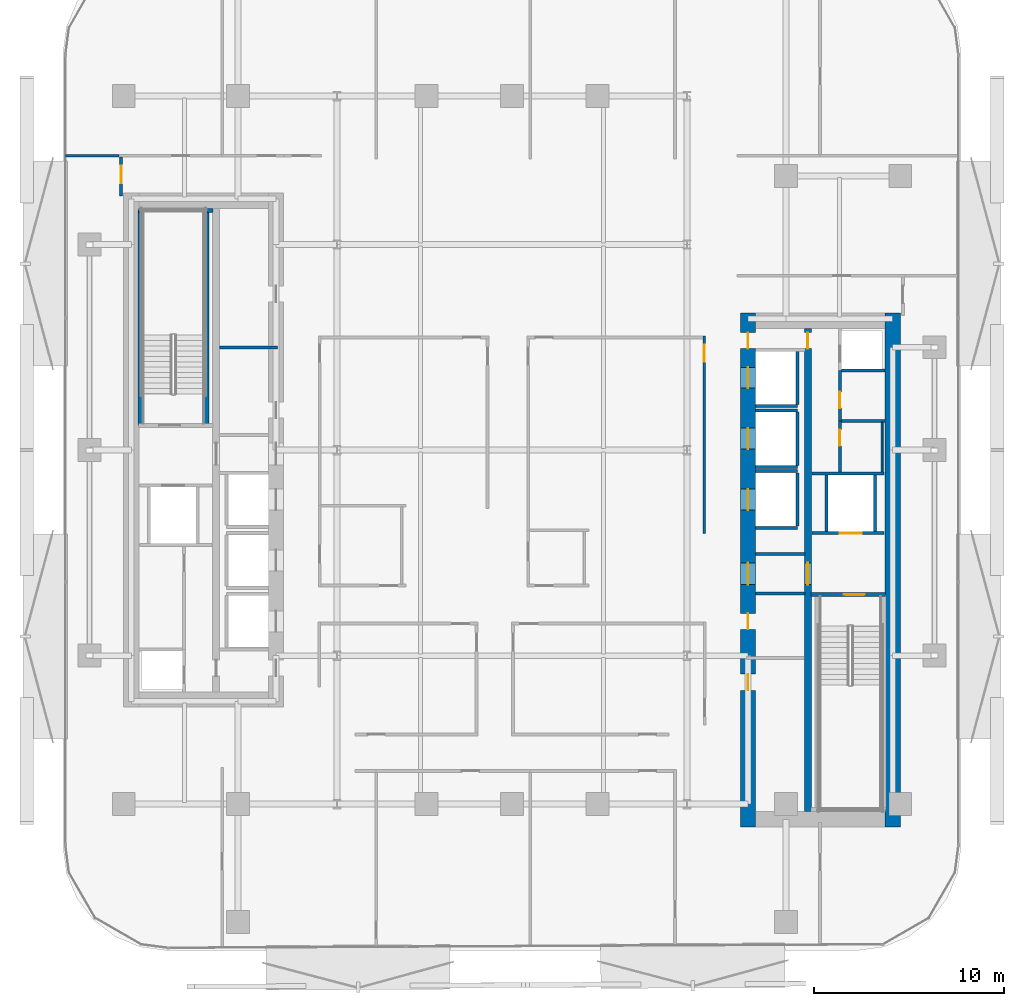
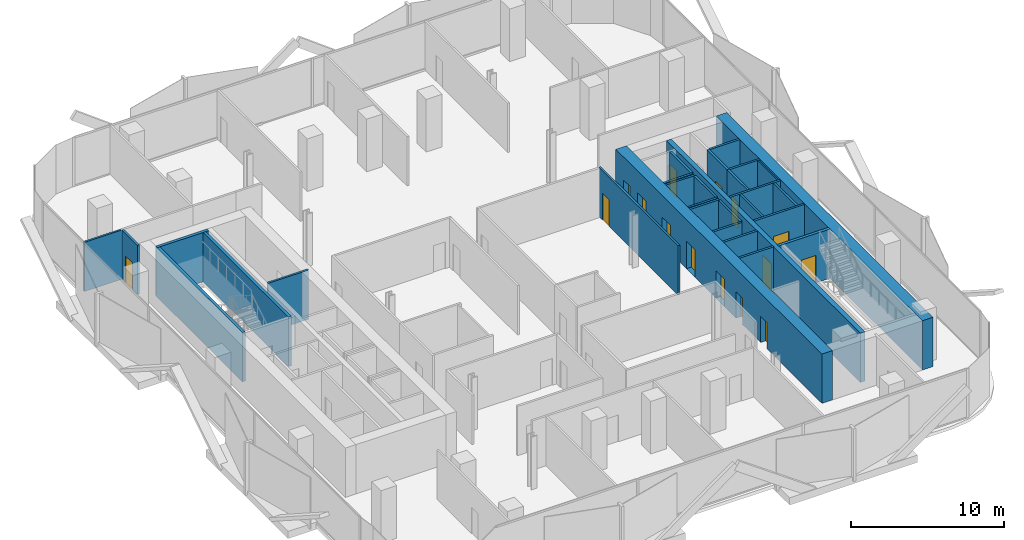
# One storey, part 5 of 16: 30 walls, 15 doors, 15 openings.
"""IFC4 building model written with IfcOpenShell, lengths in metres."""

from ifc_helpers import new_model, si_unit, direction, frame, frame_2d, origin, place, context, subcontext, project, spatial, rectangle, extrude, material, layer, layer_set, type_object, element, fill, save


model = new_model("IFC4")

# Units and contexts
model_context = context("Model", 3, precision=1e-05, world=origin(), true_north=direction((0.0, 1.0)))
body_context = subcontext(model_context, "Body", "Model", "MODEL_VIEW")
ifc_project = project(units=[si_unit("LENGTHUNIT", "METRE"), si_unit("AREAUNIT", "SQUARE_METRE"), si_unit("VOLUMEUNIT", "CUBIC_METRE"), si_unit("PLANEANGLEUNIT", "RADIAN"), si_unit("MASSUNIT", "GRAM", prefix="KILO")], contexts=[model_context])

# Site, building, storey
site_placement = place(None, origin())
site = spatial("IfcSite", under=ifc_project, at=site_placement, CompositionType="ELEMENT")
building_placement = place(site_placement, origin())
building = spatial("IfcBuilding", under=site, at=building_placement, Name="Khairoan Windgate Tower", CompositionType="ELEMENT")
storey_placement = place(building_placement, frame((0.0, 0.0, 139.39990234375)))
storey = spatial("IfcBuildingStorey", under=building, at=storey_placement, Name="L32", CompositionType="ELEMENT", Elevation=139.39990234375)

# Walls
ifc_material_1 = material(Name="Moisture-Resistant Gypsum Partition", Category="gypsum")
ifc_layer_1 = layer(ifc_material_1, 0.10009765625, Name="Moisture-Resistant Gypsum Partition")
ifc_layer_set_1 = layer_set([ifc_layer_1], Name="Moisture-Resistant Gypsum Partition")
wall_type_1 = type_object("IfcWallType", Name="Bathroom Wet-Area Partition Wall", PredefinedType="PARTITIONING", material=ifc_layer_set_1)
wall_1_placement = place(storey_placement, frame((19.449951171875, 1.449951171875, 0.0), z_axis=(0.0, 0.0, 1.0), x_axis=(0.0, -1.0, 0.0)))
element("IfcWall", 1, at=wall_1_placement, inside=storey, type_object=wall_type_1, Name="L32 Wet Room Side Wall 054", PredefinedType="PARTITIONING", context=body_context, shape_type="SweptSolid", body=[
    extrude(rectangle(XDim=2.58984375, YDim=0.10009765625, at=frame_2d((1.294921875, 0.0))), origin(), (0.0, 0.0, 1.0), 3.940185546875),
])
ifc_material_2 = material(Name="Concrete C40/50", Category="concrete")
ifc_layer_2 = layer(ifc_material_2, 0.159912109375, Name="Concrete C40/50")
ifc_layer_set_2 = layer_set([ifc_layer_2], Name="Concrete C40/50")
wall_type_2 = type_object("IfcWallType", Name="Core and Hoistway Enclosure Wall", PredefinedType="STANDARD", material=ifc_layer_set_2)
wall_2_placement = place(storey_placement, frame((12.800048828125, 2.31005859375, 0.0), z_axis=(0.0, 0.0, 1.0), x_axis=(1.0, 0.0, 0.0)))
element("IfcWall", 2, at=wall_2_placement, inside=storey, type_object=wall_type_2, Name="L32 Lift PL7 Hoistway Divider S", PredefinedType="STANDARD", context=body_context, shape_type="SweptSolid", body=[
    extrude(rectangle(XDim=2.18994140625, YDim=0.159912109375, at=frame_2d((1.094970703125, 0.0))), origin(), (0.0, 0.0, 1.0), 3.940185546875),
])
wall_3_placement = place(storey_placement, frame((14.989990234375, 2.39990234375, 0.0), z_axis=(0.0, 0.0, 1.0), x_axis=(0.0, 1.0, 0.0)))
element("IfcWall", 3, at=wall_3_placement, inside=storey, type_object=wall_type_2, Name="L32 Lift PL7 Hoistway Back Wall", PredefinedType="STANDARD", context=body_context, shape_type="SweptSolid", body=[
    extrude(rectangle(XDim=2.800048828125, YDim=0.159912109375, at=frame_2d((1.39990234375, 0.0))), origin(), (0.0, 0.0, 1.0), 3.940185546875),
])
for number, where, z_axis, x_axis, name in (
    (4, (12.800048828125, -0.889892578125, 0.0), (0.0, 0.0, 1.0), (1.0, 0.0, 0.0), "L32 Lift PL8 Hoistway Divider S"),
    (5, (12.800048828125, 2.090087890625, 0.0), (0.0, 0.0, 1.0), (1.0, 0.0, 0.0), "L32 Lift PL8 Hoistway Divider N"),
):
    element("IfcWall", number, at=place(storey_placement, frame(where, z_axis=z_axis, x_axis=x_axis)), inside=storey, type_object=wall_type_2, Name=name, PredefinedType="STANDARD", context=body_context, shape_type="SweptSolid", body=[
        extrude(rectangle(XDim=2.18994140625, YDim=0.159912109375, at=frame_2d((1.094970703125, 0.0))), origin(), (0.0, 0.0, 1.0), 3.940185546875),
    ])
wall_4_placement = place(storey_placement, frame((14.989990234375, -0.800048828125, 0.0), z_axis=(0.0, 0.0, 1.0), x_axis=(0.0, 1.0, 0.0)))
element("IfcWall", 6, at=wall_4_placement, inside=storey, type_object=wall_type_2, Name="L32 Lift PL8 Hoistway Back Wall", PredefinedType="STANDARD", context=body_context, shape_type="SweptSolid", body=[
    extrude(rectangle(XDim=2.800048828125, YDim=0.159912109375, at=frame_2d((1.39990234375, 0.0))), origin(), (0.0, 0.0, 1.0), 3.940185546875),
])
for number, where, z_axis, x_axis, name in (
    (7, (12.800048828125, -4.090087890625, 0.0), (0.0, 0.0, 1.0), (1.0, 0.0, 0.0), "L32 Lift PL9 Hoistway Divider S"),
    (8, (12.800048828125, -1.110107421875, 0.0), (0.0, 0.0, 1.0), (1.0, 0.0, 0.0), "L32 Lift PL9 Hoistway Divider N"),
):
    element("IfcWall", number, at=place(storey_placement, frame(where, z_axis=z_axis, x_axis=x_axis)), inside=storey, type_object=wall_type_2, Name=name, PredefinedType="STANDARD", context=body_context, shape_type="SweptSolid", body=[
        extrude(rectangle(XDim=2.18994140625, YDim=0.159912109375, at=frame_2d((1.094970703125, 0.0))), origin(), (0.0, 0.0, 1.0), 3.940185546875),
    ])
wall_5_placement = place(storey_placement, frame((14.989990234375, -4.0, 0.0), z_axis=(0.0, 0.0, 1.0), x_axis=(0.0, 1.0, 0.0)))
element("IfcWall", 9, at=wall_5_placement, inside=storey, type_object=wall_type_2, Name="L32 Lift PL9 Hoistway Back Wall", PredefinedType="STANDARD", context=body_context, shape_type="SweptSolid", body=[
    extrude(rectangle(XDim=2.800048828125, YDim=0.159912109375, at=frame_2d((1.39990234375, 0.0))), origin(), (0.0, 0.0, 1.0), 3.940185546875),
])

# Wall, opening, door
wall_6_placement = place(storey_placement, frame((15.75, -4.360107421875, 0.0), z_axis=(0.0, 0.0, 1.0), x_axis=(1.0, 0.0, 0.0)))
wall_6 = element("IfcWall", 10, at=wall_6_placement, inside=storey, type_object=wall_type_2, Name="L32 Core Shaft Wall SW-FL1-L32", PredefinedType="STANDARD", context=body_context, shape_type="SweptSolid", body=[
    extrude(rectangle(XDim=3.800048828125, YDim=0.159912109375, at=frame_2d((1.89990234375, 0.0))), origin(), (0.0, 0.0, 1.0), 3.940185546875),
])
opening_1_placement = place(wall_6_placement, frame((1.469970703125, 0.0, 0.0)))
opening_1 = element("IfcOpeningElement", 11, at=opening_1_placement, cuts=wall_6, Name="Opening LD-FL", PredefinedType="OPENING", context=body_context, shape_type="SweptSolid", body=[
    extrude(rectangle(XDim=1.14990234375, YDim=2.199951171875, at=frame_2d((0.574951171875, 1.10009765625))), frame((0.0, 0.08984375, 0.0), z_axis=(0.0, -1.0, 0.0), x_axis=(1.0, 0.0, 0.0)), (0.0, 0.0, 1.0), 0.179931640625),
])
ifc_material_3 = material(Name="Steel S355", Category="steel")
door_type_1 = type_object("IfcDoorType", Name="Firefighting Lift Sliding Landing Door LD-FL 1150x2200", OperationType="DOUBLE_DOOR_SLIDING", PredefinedType="DOOR", material=ifc_material_3)
door_1_placement = place(opening_1_placement, origin())
door_1 = element("IfcDoor", 12, at=door_1_placement, inside=storey, type_object=door_type_1, Name="L32 Firefighting Lift FL1 Landing Door", OperationType="DOUBLE_DOOR_SLIDING", OverallHeight=2.199951171875, OverallWidth=1.14990234375, PredefinedType="DOOR", context=body_context, shape_type="SweptSolid", body=[
    extrude(rectangle(XDim=1.14990234375, YDim=2.199951171875, at=frame_2d((0.574951171875, 1.10009765625))), frame((0.0, 0.02490234375, 0.0), z_axis=(0.0, -1.0, 0.0), x_axis=(1.0, 0.0, 0.0)), (0.0, 0.0, 1.0), 0.050048828125),
])
fill(opening_1, door_1)

# Walls
wall_7_placement = place(storey_placement, frame((15.75, -1.219970703125, 0.0), z_axis=(0.0, 0.0, 1.0), x_axis=(1.0, 0.0, 0.0)))
element("IfcWall", 13, at=wall_7_placement, inside=storey, type_object=wall_type_2, Name="L32 Core Shaft Wall SW-FL1T-L32", PredefinedType="STANDARD", context=body_context, shape_type="SweptSolid", body=[
    extrude(rectangle(XDim=3.800048828125, YDim=0.159912109375, at=frame_2d((1.89990234375, 0.0))), origin(), (0.0, 0.0, 1.0), 3.940185546875),
])
for number, where, z_axis, x_axis, name in (
    (14, (16.52001953125, -4.280029296875, 0.0), (0.0, 0.0, 1.0), (0.0, 1.0, 0.0), "L32 Core Shaft Wall SW-FL1W-L32"),
    (15, (19.080078125, -4.280029296875, 0.0), (0.0, 0.0, 1.0), (0.0, 1.0, 0.0), "L32 Core Shaft Wall SW-FL1E-L32"),
):
    element("IfcWall", number, at=place(storey_placement, frame(where, z_axis=z_axis, x_axis=x_axis)), inside=storey, type_object=wall_type_2, Name=name, PredefinedType="STANDARD", context=body_context, shape_type="SweptSolid", body=[
        extrude(rectangle(XDim=2.97998046875, YDim=0.159912109375, at=frame_2d((1.489990234375, 0.0))), origin(), (0.0, 0.0, 1.0), 3.940185546875),
    ])
for number, where, z_axis, x_axis, name in (
    (16, (12.800048828125, -5.449951171875, 0.0), (0.0, 0.0, 1.0), (1.0, 0.0, 0.0), "L32 Core Shaft Wall SW-EV1-L32"),
    (17, (12.800048828125, -7.5400390625, 0.0), (0.0, 0.0, 1.0), (1.0, 0.0, 0.0), "L32 Core Shaft Wall SW-EV2-L32"),
):
    element("IfcWall", number, at=place(storey_placement, frame(where, z_axis=z_axis, x_axis=x_axis)), inside=storey, type_object=wall_type_2, Name=name, PredefinedType="STANDARD", context=body_context, shape_type="SweptSolid", body=[
        extrude(rectangle(XDim=2.599853515625, YDim=0.159912109375, at=frame_2d((1.2998046875, 0.0))), origin(), (0.0, 0.0, 1.0), 3.940185546875),
    ])
ifc_material_4 = material(Name="Acoustic Fire-Rated Gypsum Partition", Category="gypsum")
ifc_layer_3 = layer(ifc_material_4, 0.139892578125, Name="Acoustic Fire-Rated Gypsum Partition")
ifc_layer_set_3 = layer_set([ifc_layer_3], Name="Acoustic Fire-Rated Gypsum Partition")
wall_type_3 = type_object("IfcWallType", Name="Inter-Tenancy Compartment Wall", PredefinedType="PARTITIONING", material=ifc_layer_set_3)
wall_8_placement = place(storey_placement, frame((-23.455078125, 15.4599609375, 0.0), z_axis=(0.0, 0.0, 1.0), x_axis=(1.0, 0.0, 0.0)))
element("IfcWall", 18, at=wall_8_placement, inside=storey, type_object=wall_type_3, Name="L32 Interior Partition 038", PredefinedType="PARTITIONING", context=body_context, shape_type="SweptSolid", body=[
    extrude(rectangle(XDim=2.815185546875, YDim=0.139892578125, at=frame_2d((1.40771484375, 0.0))), origin(), (0.0, 0.0, 1.0), 3.940185546875),
])
ifc_material_5 = material(Name="Concrete C40/50", Category="concrete")
ifc_layer_4 = layer(ifc_material_5, 0.159912109375, Name="Concrete C40/50")
ifc_layer_set_4 = layer_set([ifc_layer_4], Name="Concrete C40/50")
wall_type_4 = type_object("IfcWallType", Name="Plant and Refuge Compartment Wall", PredefinedType="PARTITIONING", material=ifc_layer_set_4)
wall_9_placement = place(storey_placement, frame((-15.375, 5.39990234375, 0.0), z_axis=(0.0, 0.0, 1.0), x_axis=(1.0, 0.0, 0.0)))
element("IfcWall", 19, at=wall_9_placement, inside=storey, type_object=wall_type_4, Name="L32 Interior Partition 004", PredefinedType="PARTITIONING", context=body_context, shape_type="SweptSolid", body=[
    extrude(rectangle(XDim=3.06494140625, YDim=0.159912109375, at=frame_2d((1.532470703125, 0.0))), origin(), (0.0, 0.0, 1.0), 3.940185546875),
])

# Wall, opening, door
wall_10_placement = place(storey_placement, frame((17.22998046875, -1.139892578125, 0.0), z_axis=(0.0, 0.0, 1.0), x_axis=(0.0, 1.0, 0.0)))
wall_10 = element("IfcWall", 20, at=wall_10_placement, inside=storey, type_object=wall_type_4, Name="L32 Interior Partition 006", PredefinedType="PARTITIONING", context=body_context, shape_type="SweptSolid", body=[
    extrude(rectangle(XDim=2.669921875, YDim=0.159912109375, at=frame_2d((1.3349609375, 0.0))), origin(), (0.0, 0.0, 1.0), 3.940185546875),
])
opening_2_placement = place(wall_10_placement, frame((1.360107421875, 0.0, 0.0)))
opening_2 = element("IfcOpeningElement", 21, at=opening_2_placement, cuts=wall_10, Name="Opening FD-SRV", PredefinedType="OPENING", context=body_context, shape_type="SweptSolid", body=[
    extrude(rectangle(XDim=0.85009765625, YDim=2.10009765625, at=frame_2d((0.425048828125, 1.050048828125))), frame((0.0, 0.08984375, 0.0), z_axis=(0.0, -1.0, 0.0), x_axis=(1.0, 0.0, 0.0)), (0.0, 0.0, 1.0), 0.179931640625),
])
ifc_material_6 = material(Name="Steel S355", Category="steel")
door_type_2 = type_object("IfcDoorType", Name="Core Service and Riser Fire Door FD-SRV 850x2100", OperationType="NOTDEFINED", PredefinedType="DOOR", material=ifc_material_6)
door_2_placement = place(opening_2_placement, origin())
door_2 = element("IfcDoor", 22, at=door_2_placement, inside=storey, type_object=door_type_2, Name="L32 L32-17-L32-19 Door", OperationType="SINGLE_SWING_RIGHT", OverallHeight=2.10009765625, OverallWidth=0.85009765625, PredefinedType="DOOR", context=body_context, shape_type="SweptSolid", body=[
    extrude(rectangle(XDim=0.85009765625, YDim=2.10009765625, at=frame_2d((0.425048828125, 1.050048828125))), frame((0.0, 0.02490234375, 0.0), z_axis=(0.0, -1.0, 0.0), x_axis=(1.0, 0.0, 0.0)), (0.0, 0.0, 1.0), 0.050048828125),
])
fill(opening_2, door_2)

wall_11_placement = place(storey_placement, frame((17.22998046875, 1.530029296875, 0.0), z_axis=(0.0, 0.0, 1.0), x_axis=(0.0, 1.0, 0.0)))
wall_11 = element("IfcWall", 23, at=wall_11_placement, inside=storey, type_object=wall_type_4, Name="L32 Interior Partition 007", PredefinedType="PARTITIONING", context=body_context, shape_type="SweptSolid", body=[
    extrude(rectangle(XDim=2.639892578125, YDim=0.159912109375, at=frame_2d((1.31982421875, 0.0))), origin(), (0.0, 0.0, 1.0), 3.940185546875),
])
opening_3_placement = place(wall_11_placement, frame((0.677490234375, 0.0, 0.0)))
opening_3 = element("IfcOpeningElement", 24, at=opening_3_placement, cuts=wall_11, Name="Opening FD-SRV", PredefinedType="OPENING", context=body_context, shape_type="SweptSolid", body=[
    extrude(rectangle(XDim=0.85009765625, YDim=2.10009765625, at=frame_2d((0.425048828125, 1.050048828125))), frame((0.0, 0.08984375, 0.0), z_axis=(0.0, -1.0, 0.0), x_axis=(1.0, 0.0, 0.0)), (0.0, 0.0, 1.0), 0.179931640625),
])
door_3_placement = place(opening_3_placement, origin())
door_3 = element("IfcDoor", 25, at=door_3_placement, inside=storey, type_object=door_type_2, Name="L32 L32-17-L32-20 Door", OperationType="SINGLE_SWING_LEFT", OverallHeight=2.10009765625, OverallWidth=0.85009765625, PredefinedType="DOOR", context=body_context, shape_type="SweptSolid", body=[
    extrude(rectangle(XDim=0.85009765625, YDim=2.10009765625, at=frame_2d((0.425048828125, 1.050048828125))), frame((0.0, 0.02490234375, 0.0), z_axis=(0.0, -1.0, 0.0), x_axis=(1.0, 0.0, 0.0)), (0.0, 0.0, 1.0), 0.050048828125),
])
fill(opening_3, door_3)

# Walls
for number, where, z_axis, x_axis, name in (
    (26, (17.31005859375, 4.169921875, 0.0), (0.0, 0.0, 1.0), (1.0, 0.0, 0.0), "L32 Interior Partition 008"),
    (27, (17.31005859375, 1.530029296875, 0.0), (0.0, 0.0, 1.0), (1.0, 0.0, 0.0), "L32 Interior Partition 009"),
):
    element("IfcWall", number, at=place(storey_placement, frame(where, z_axis=z_axis, x_axis=x_axis)), inside=storey, type_object=wall_type_4, Name=name, PredefinedType="PARTITIONING", context=body_context, shape_type="SweptSolid", body=[
        extrude(rectangle(XDim=2.2900390625, YDim=0.159912109375, at=frame_2d((1.14501953125, 0.0))), origin(), (0.0, 0.0, 1.0), 3.940185546875),
    ])

# Wall, opening, door
ifc_material_7 = material(Name="Acoustic Fire-Rated Gypsum Partition", Category="gypsum")
ifc_layer_5 = layer(ifc_material_7, 0.14990234375, Name="Acoustic Fire-Rated Gypsum Partition")
ifc_layer_set_5 = layer_set([ifc_layer_5], Name="Acoustic Fire-Rated Gypsum Partition")
wall_type_5 = type_object("IfcWallType", Name="Rated Corridor Partition Wall", PredefinedType="PARTITIONING", material=ifc_layer_set_5)
wall_12_placement = place(storey_placement, frame((10.10009765625, -4.3798828125, 0.0), z_axis=(0.0, 0.0, 1.0), x_axis=(0.0, 1.0, 0.0)))
wall_12 = element("IfcWall", 28, at=wall_12_placement, inside=storey, type_object=wall_type_5, Name="L32 Interior Partition 015", PredefinedType="PARTITIONING", context=body_context, shape_type="SweptSolid", body=[
    extrude(rectangle(XDim=10.375, YDim=0.14990234375, at=frame_2d((5.1875, 0.0))), origin(), (0.0, 0.0, 1.0), 3.940185546875),
])
opening_4_placement = place(wall_12_placement, frame((9.014892578125, 0.0, 0.0)))
opening_4 = element("IfcOpeningElement", 29, at=opening_4_placement, cuts=wall_12, Name="Opening FD-ENT", PredefinedType="OPENING", context=body_context, shape_type="SweptSolid", body=[
    extrude(rectangle(XDim=0.89990234375, YDim=2.14990234375, at=frame_2d((0.449951171875, 1.074951171875))), frame((0.0, 0.0849609375, 0.0), z_axis=(0.0, -1.0, 0.0), x_axis=(1.0, 0.0, 0.0)), (0.0, 0.0, 1.0), 0.169921875),
])
ifc_material_8 = material(Name="Timber Fire-Rated Core", Category="wood")
door_type_3 = type_object("IfcDoorType", Name="Unit and Office Fire Entrance Door FD-ENT 900x2150", OperationType="NOTDEFINED", PredefinedType="DOOR", material=ifc_material_8)
door_4_placement = place(opening_4_placement, origin())
door_4 = element("IfcDoor", 30, at=door_4_placement, inside=storey, type_object=door_type_3, Name="L32 L32-29-L32-53 Door", OperationType="SINGLE_SWING_RIGHT", OverallHeight=2.14990234375, OverallWidth=0.89990234375, PredefinedType="DOOR", context=body_context, shape_type="SweptSolid", body=[
    extrude(rectangle(XDim=0.89990234375, YDim=2.14990234375, at=frame_2d((0.449951171875, 1.074951171875))), frame((0.0, 0.02490234375, 0.0), z_axis=(0.0, -1.0, 0.0), x_axis=(1.0, 0.0, 0.0)), (0.0, 0.0, 1.0), 0.050048828125),
])
fill(opening_4, door_4)

wall_13_placement = place(storey_placement, frame((-20.5400390625, 13.360107421875, 0.0), z_axis=(0.0, 0.0, 1.0), x_axis=(0.0, 1.0, 0.0)))
wall_13 = element("IfcWall", 31, at=wall_13_placement, inside=storey, type_object=wall_type_5, Name="L32 Interior Partition 026", PredefinedType="PARTITIONING", context=body_context, shape_type="SweptSolid", body=[
    extrude(rectangle(XDim=2.02490234375, YDim=0.14990234375, at=frame_2d((1.012451171875, 0.0))), origin(), (0.0, 0.0, 1.0), 3.940185546875),
])
opening_5_placement = place(wall_13_placement, frame((0.6650390625, 0.0, 0.0)))
opening_5 = element("IfcOpeningElement", 32, at=opening_5_placement, cuts=wall_13, Name="Opening FD-ENT", PredefinedType="OPENING", context=body_context, shape_type="SweptSolid", body=[
    extrude(rectangle(XDim=0.89990234375, YDim=2.14990234375, at=frame_2d((0.449951171875, 1.074951171875))), frame((0.0, 0.0849609375, 0.0), z_axis=(0.0, -1.0, 0.0), x_axis=(1.0, 0.0, 0.0)), (0.0, 0.0, 1.0), 0.169921875),
])
door_5_placement = place(opening_5_placement, origin())
door_5 = element("IfcDoor", 33, at=door_5_placement, inside=storey, type_object=door_type_3, Name="L32 L32-33-L32-37 Door", OperationType="SINGLE_SWING_LEFT", OverallHeight=2.14990234375, OverallWidth=0.89990234375, PredefinedType="DOOR", context=body_context, shape_type="SweptSolid", body=[
    extrude(rectangle(XDim=0.89990234375, YDim=2.14990234375, at=frame_2d((0.449951171875, 1.074951171875))), frame((0.0, 0.02490234375, 0.0), z_axis=(0.0, -1.0, 0.0), x_axis=(1.0, 0.0, 0.0)), (0.0, 0.0, 1.0), 0.050048828125),
])
fill(opening_5, door_5)

# Wall, openings, doors
ifc_material_9 = material(Name="Concrete C70/85", Category="concrete")
ifc_layer_6 = layer(ifc_material_9, 0.800048828125, Name="Concrete C70/85")
ifc_layer_set_6 = layer_set([ifc_layer_6], Name="Concrete C70/85")
wall_type_6 = type_object("IfcWallType", Name="Shear Wall CW-E1 800mm", PredefinedType="SHEAR", material=ifc_layer_set_6)
wall_14_placement = place(storey_placement, frame((12.39990234375, -19.800048828125, 0.0), z_axis=(0.0, 0.0, 1.0), x_axis=(0.0, 1.0, 0.0)))
wall_14 = element("IfcWall", 34, at=wall_14_placement, inside=storey, type_object=wall_type_6, Name="E Core West Shear Wall L32", PredefinedType="SHEAR", context=body_context, shape_type="SweptSolid", body=[
    extrude(rectangle(XDim=27.0, YDim=0.800048828125, at=frame_2d((13.5, 0.0))), origin(), (0.0, 0.0, 1.0), 3.940185546875),
])
opening_6_placement = place(wall_14_placement, frame((23.050048828125, 0.0, 0.0)))
opening_6 = element("IfcOpeningElement", 35, at=opening_6_placement, cuts=wall_14, Name="Opening LD-PL", PredefinedType="OPENING", context=body_context, shape_type="SweptSolid", body=[
    extrude(rectangle(XDim=1.10009765625, YDim=2.199951171875, at=frame_2d((0.550048828125, 1.10009765625))), frame((0.0, 0.409912109375, 0.0), z_axis=(0.0, -1.0, 0.0), x_axis=(1.0, 0.0, 0.0)), (0.0, 0.0, 1.0), 0.820068359375),
])
opening_7_placement = place(wall_14_placement, frame((19.85009765625, 0.0, 0.0)))
opening_7 = element("IfcOpeningElement", 36, at=opening_7_placement, cuts=wall_14, Name="Opening LD-PL", PredefinedType="OPENING", context=body_context, shape_type="SweptSolid", body=[
    extrude(rectangle(XDim=1.10009765625, YDim=2.199951171875, at=frame_2d((0.550048828125, 1.10009765625))), frame((0.0, 0.409912109375, 0.0), z_axis=(0.0, -1.0, 0.0), x_axis=(1.0, 0.0, 0.0)), (0.0, 0.0, 1.0), 0.820068359375),
])
opening_8_placement = place(wall_14_placement, frame((16.64990234375, 0.0, 0.0)))
opening_8 = element("IfcOpeningElement", 37, at=opening_8_placement, cuts=wall_14, Name="Opening LD-PL", PredefinedType="OPENING", context=body_context, shape_type="SweptSolid", body=[
    extrude(rectangle(XDim=1.10009765625, YDim=2.199951171875, at=frame_2d((0.550048828125, 1.10009765625))), frame((0.0, 0.409912109375, 0.0), z_axis=(0.0, -1.0, 0.0), x_axis=(1.0, 0.0, 0.0)), (0.0, 0.0, 1.0), 0.820068359375),
])
opening_9_placement = place(wall_14_placement, frame((7.175048828125, 0.0, 0.0)))
opening_9 = element("IfcOpeningElement", 38, at=opening_9_placement, cuts=wall_14, Name="Opening FD-SRV", PredefinedType="OPENING", context=body_context, shape_type="SweptSolid", body=[
    extrude(rectangle(XDim=0.85009765625, YDim=2.10009765625, at=frame_2d((0.425048828125, 1.050048828125))), frame((0.0, 0.409912109375, 0.0), z_axis=(0.0, -1.0, 0.0), x_axis=(1.0, 0.0, 0.0)), (0.0, 0.0, 1.0), 0.820068359375),
])
opening_10_placement = place(wall_14_placement, frame((10.375, 0.0, 0.0)))
opening_10 = element("IfcOpeningElement", 39, at=opening_10_placement, cuts=wall_14, Name="Opening FD-SRV", PredefinedType="OPENING", context=body_context, shape_type="SweptSolid", body=[
    extrude(rectangle(XDim=0.85009765625, YDim=2.10009765625, at=frame_2d((0.425048828125, 1.050048828125))), frame((0.0, 0.409912109375, 0.0), z_axis=(0.0, -1.0, 0.0), x_axis=(1.0, 0.0, 0.0)), (0.0, 0.0, 1.0), 0.820068359375),
])
opening_11_placement = place(wall_14_placement, frame((12.72509765625, 0.0, 0.0)))
opening_11 = element("IfcOpeningElement", 40, at=opening_11_placement, cuts=wall_14, Name="Opening FD-FFL", PredefinedType="OPENING", context=body_context, shape_type="SweptSolid", body=[
    extrude(rectangle(XDim=1.14990234375, YDim=2.199951171875, at=frame_2d((0.574951171875, 1.10009765625))), frame((0.0, 0.409912109375, 0.0), z_axis=(0.0, -1.0, 0.0), x_axis=(1.0, 0.0, 0.0)), (0.0, 0.0, 1.0), 0.820068359375),
])
opening_12_placement = place(wall_14_placement, frame((25.125, 0.0, 0.0)))
opening_12 = element("IfcOpeningElement", 41, at=opening_12_placement, cuts=wall_14, Name="Opening FD-SRV", PredefinedType="OPENING", context=body_context, shape_type="SweptSolid", body=[
    extrude(rectangle(XDim=0.85009765625, YDim=2.10009765625, at=frame_2d((0.425048828125, 1.050048828125))), frame((0.0, 0.409912109375, 0.0), z_axis=(0.0, -1.0, 0.0), x_axis=(1.0, 0.0, 0.0)), (0.0, 0.0, 1.0), 0.820068359375),
])
door_6_placement = place(opening_9_placement, origin())
door_6 = element("IfcDoor", 42, at=door_6_placement, inside=storey, type_object=door_type_2, Name="L32 East Core Service Room Door 1", OperationType="SINGLE_SWING_LEFT", OverallHeight=2.10009765625, OverallWidth=0.85009765625, PredefinedType="DOOR", context=body_context, shape_type="SweptSolid", body=[
    extrude(rectangle(XDim=0.85009765625, YDim=2.10009765625, at=frame_2d((0.425048828125, 1.050048828125))), frame((0.0, 0.02490234375, 0.0), z_axis=(0.0, -1.0, 0.0), x_axis=(1.0, 0.0, 0.0)), (0.0, 0.0, 1.0), 0.050048828125),
])
fill(opening_9, door_6)
door_7_placement = place(opening_10_placement, origin())
door_7 = element("IfcDoor", 43, at=door_7_placement, inside=storey, type_object=door_type_2, Name="L32 East Core Service Room Door 2", OperationType="SINGLE_SWING_RIGHT", OverallHeight=2.10009765625, OverallWidth=0.85009765625, PredefinedType="DOOR", context=body_context, shape_type="SweptSolid", body=[
    extrude(rectangle(XDim=0.85009765625, YDim=2.10009765625, at=frame_2d((0.425048828125, 1.050048828125))), frame((0.0, 0.02490234375, 0.0), z_axis=(0.0, -1.0, 0.0), x_axis=(1.0, 0.0, 0.0)), (0.0, 0.0, 1.0), 0.050048828125),
])
fill(opening_10, door_7)
door_8_placement = place(opening_12_placement, origin())
door_8 = element("IfcDoor", 44, at=door_8_placement, inside=storey, type_object=door_type_2, Name="L32 East Core Service Vestibule Outer Door", OperationType="SINGLE_SWING_LEFT", OverallHeight=2.10009765625, OverallWidth=0.85009765625, PredefinedType="DOOR", context=body_context, shape_type="SweptSolid", body=[
    extrude(rectangle(XDim=0.85009765625, YDim=2.10009765625, at=frame_2d((0.425048828125, 1.050048828125))), frame((0.0, 0.02490234375, 0.0), z_axis=(0.0, -1.0, 0.0), x_axis=(1.0, 0.0, 0.0)), (0.0, 0.0, 1.0), 0.050048828125),
])
fill(opening_12, door_8)
ifc_material_10 = material(Name="Steel S355", Category="steel")
door_type_4 = type_object("IfcDoorType", Name="Firefighting Lobby Fire Door FD-FFL 1150x2200", OperationType="NOTDEFINED", PredefinedType="DOOR", material=ifc_material_10)
door_9_placement = place(opening_11_placement, origin())
door_9 = element("IfcDoor", 45, at=door_9_placement, inside=storey, type_object=door_type_4, Name="L32 East Core Vestibule Entry Door", OperationType="SINGLE_SWING_LEFT", OverallHeight=2.199951171875, OverallWidth=1.14990234375, PredefinedType="DOOR", context=body_context, shape_type="SweptSolid", body=[
    extrude(rectangle(XDim=1.14990234375, YDim=2.199951171875, at=frame_2d((0.574951171875, 1.10009765625))), frame((0.0, 0.02490234375, 0.0), z_axis=(0.0, -1.0, 0.0), x_axis=(1.0, 0.0, 0.0)), (0.0, 0.0, 1.0), 0.050048828125),
])
fill(opening_11, door_9)
ifc_material_11 = material(Name="Anodised Bronze Aluminium 6063-T6", Category="aluminium")
door_type_5 = type_object("IfcDoorType", Name="Passenger Lift Sliding Landing Door LD-PL 1100x2200", OperationType="DOUBLE_DOOR_SLIDING", PredefinedType="DOOR", material=ifc_material_11)
door_10_placement = place(opening_6_placement, origin())
door_10 = element("IfcDoor", 46, at=door_10_placement, inside=storey, type_object=door_type_5, Name="L32 Lift PL7 Sliding Landing Door", OperationType="DOUBLE_DOOR_SLIDING", OverallHeight=2.199951171875, OverallWidth=1.10009765625, PredefinedType="DOOR", context=body_context, shape_type="SweptSolid", body=[
    extrude(rectangle(XDim=1.10009765625, YDim=2.199951171875, at=frame_2d((0.550048828125, 1.10009765625))), frame((0.0, 0.02490234375, 0.0), z_axis=(0.0, -1.0, 0.0), x_axis=(1.0, 0.0, 0.0)), (0.0, 0.0, 1.0), 0.050048828125),
])
fill(opening_6, door_10)
door_11_placement = place(opening_7_placement, origin())
door_11 = element("IfcDoor", 47, at=door_11_placement, inside=storey, type_object=door_type_5, Name="L32 Lift PL8 Sliding Landing Door", OperationType="DOUBLE_DOOR_SLIDING", OverallHeight=2.199951171875, OverallWidth=1.10009765625, PredefinedType="DOOR", context=body_context, shape_type="SweptSolid", body=[
    extrude(rectangle(XDim=1.10009765625, YDim=2.199951171875, at=frame_2d((0.550048828125, 1.10009765625))), frame((0.0, 0.02490234375, 0.0), z_axis=(0.0, -1.0, 0.0), x_axis=(1.0, 0.0, 0.0)), (0.0, 0.0, 1.0), 0.050048828125),
])
fill(opening_7, door_11)
door_12_placement = place(opening_8_placement, origin())
door_12 = element("IfcDoor", 48, at=door_12_placement, inside=storey, type_object=door_type_5, Name="L32 Lift PL9 Sliding Landing Door", OperationType="DOUBLE_DOOR_SLIDING", OverallHeight=2.199951171875, OverallWidth=1.10009765625, PredefinedType="DOOR", context=body_context, shape_type="SweptSolid", body=[
    extrude(rectangle(XDim=1.10009765625, YDim=2.199951171875, at=frame_2d((0.550048828125, 1.10009765625))), frame((0.0, 0.02490234375, 0.0), z_axis=(0.0, -1.0, 0.0), x_axis=(1.0, 0.0, 0.0)), (0.0, 0.0, 1.0), 0.050048828125),
])
fill(opening_8, door_12)

# Wall
wall_15_placement = place(storey_placement, frame((20.0, -19.800048828125, 0.0), z_axis=(0.0, 0.0, 1.0), x_axis=(0.0, 1.0, 0.0)))
element("IfcWall", 49, at=wall_15_placement, inside=storey, type_object=wall_type_6, Name="E Core East Shear Wall L32", PredefinedType="SHEAR", context=body_context, shape_type="SweptSolid", body=[
    extrude(rectangle(XDim=27.0, YDim=0.800048828125, at=frame_2d((13.5, 0.0))), origin(), (0.0, 0.0, 1.0), 3.940185546875),
])

# Wall, openings, doors
ifc_material_12 = material(Name="Concrete C60/75", Category="concrete")
ifc_layer_7 = layer(ifc_material_12, 0.35009765625, Name="Concrete C60/75")
ifc_layer_set_7 = layer_set([ifc_layer_7], Name="Concrete C60/75")
wall_type_7 = type_object("IfcWallType", Name="Shear Wall SW-1 350mm", PredefinedType="SHEAR", material=ifc_layer_set_7)
wall_16_placement = place(storey_placement, frame((15.550048828125, -19.0, 0.0), z_axis=(0.0, 0.0, 1.0), x_axis=(0.0, 1.0, 0.0)))
wall_16 = element("IfcWall", 50, at=wall_16_placement, inside=storey, type_object=wall_type_7, Name="E Core Spine Shear Wall L32", PredefinedType="SHEAR", context=body_context, shape_type="SweptSolid", body=[
    extrude(rectangle(XDim=25.39990234375, YDim=0.35009765625, at=frame_2d((12.699951171875, 0.0))), origin(), (0.0, 0.0, 1.0), 3.940185546875),
])
opening_13_placement = place(wall_16_placement, frame((11.925048828125, 0.0, 0.0)))
opening_13 = element("IfcOpeningElement", 51, at=opening_13_placement, cuts=wall_16, Name="Opening FD-FFL", PredefinedType="OPENING", context=body_context, shape_type="SweptSolid", body=[
    extrude(rectangle(XDim=1.14990234375, YDim=2.199951171875, at=frame_2d((0.574951171875, 1.10009765625))), frame((0.0, 0.18505859375, 0.0), z_axis=(0.0, -1.0, 0.0), x_axis=(1.0, 0.0, 0.0)), (0.0, 0.0, 1.0), 0.3701171875),
])
opening_14_placement = place(wall_16_placement, frame((24.324951171875, 0.0, 0.0)))
opening_14 = element("IfcOpeningElement", 52, at=opening_14_placement, cuts=wall_16, Name="Opening FD-SRV", PredefinedType="OPENING", context=body_context, shape_type="SweptSolid", body=[
    extrude(rectangle(XDim=0.85009765625, YDim=2.10009765625, at=frame_2d((0.425048828125, 1.050048828125))), frame((0.0, 0.18505859375, 0.0), z_axis=(0.0, -1.0, 0.0), x_axis=(1.0, 0.0, 0.0)), (0.0, 0.0, 1.0), 0.3701171875),
])
door_13_placement = place(opening_14_placement, origin())
door_13 = element("IfcDoor", 53, at=door_13_placement, inside=storey, type_object=door_type_2, Name="L32 East Core Service Passage Inner Door", OperationType="SINGLE_SWING_RIGHT", OverallHeight=2.10009765625, OverallWidth=0.85009765625, PredefinedType="DOOR", context=body_context, shape_type="SweptSolid", body=[
    extrude(rectangle(XDim=0.85009765625, YDim=2.10009765625, at=frame_2d((0.425048828125, 1.050048828125))), frame((0.0, 0.02490234375, 0.0), z_axis=(0.0, -1.0, 0.0), x_axis=(1.0, 0.0, 0.0)), (0.0, 0.0, 1.0), 0.050048828125),
])
fill(opening_14, door_13)
door_14_placement = place(opening_13_placement, origin())
door_14 = element("IfcDoor", 54, at=door_14_placement, inside=storey, type_object=door_type_4, Name="L32 East Firefighting Lobby Fire Door", OperationType="SINGLE_SWING_RIGHT", OverallHeight=2.199951171875, OverallWidth=1.14990234375, PredefinedType="DOOR", context=body_context, shape_type="SweptSolid", body=[
    extrude(rectangle(XDim=1.14990234375, YDim=2.199951171875, at=frame_2d((0.574951171875, 1.10009765625))), frame((0.0, 0.02490234375, 0.0), z_axis=(0.0, -1.0, 0.0), x_axis=(1.0, 0.0, 0.0)), (0.0, 0.0, 1.0), 0.050048828125),
])
fill(opening_13, door_14)

# Wall, opening, door
ifc_material_13 = material(Name="Concrete C50/60", Category="concrete")
ifc_layer_8 = layer(ifc_material_13, 0.219970703125, Name="Concrete C50/60")
ifc_layer_set_8 = layer_set([ifc_layer_8], Name="Concrete C50/60")
wall_type_8 = type_object("IfcWallType", Name="Shear Wall SW-ST 220mm", PredefinedType="SHEAR", material=ifc_layer_set_8)
wall_17_placement = place(storey_placement, frame((19.6201171875, -7.590087890625, 0.0), z_axis=(0.0, 0.0, 1.0), x_axis=(-1.0, 0.0, 0.0)))
wall_17 = element("IfcWall", 55, at=wall_17_placement, inside=storey, type_object=wall_type_8, Name="L32 Stair ST1 North Bearing Wall", PredefinedType="SHEAR", context=body_context, shape_type="SweptSolid", body=[
    extrude(rectangle(XDim=3.9150390625, YDim=0.219970703125, at=frame_2d((1.95751953125, 0.0))), origin(), (0.0, 0.0, 1.0), 3.940185546875),
])
opening_15_placement = place(wall_17_placement, frame((1.080078125, 0.0, 0.0)))
opening_15 = element("IfcOpeningElement", 56, at=opening_15_placement, cuts=wall_17, Name="Opening FD-ST", PredefinedType="OPENING", context=body_context, shape_type="SweptSolid", body=[
    extrude(rectangle(XDim=1.10009765625, YDim=2.199951171875, at=frame_2d((0.550048828125, 1.10009765625))), frame((0.0, 0.119873046875, 0.0), z_axis=(0.0, -1.0, 0.0), x_axis=(1.0, 0.0, 0.0)), (0.0, 0.0, 1.0), 0.239990234375),
])
ifc_material_14 = material(Name="Steel S355", Category="steel")
door_type_6 = type_object("IfcDoorType", Name="Smokeproof Stair Fire Door FD-ST 1100x2200", OperationType="NOTDEFINED", PredefinedType="DOOR", material=ifc_material_14)
door_15_placement = place(opening_15_placement, origin())
door_15 = element("IfcDoor", 57, at=door_15_placement, inside=storey, type_object=door_type_6, Name="L32 Stair ST1 Fire Door", OperationType="SINGLE_SWING_LEFT", OverallHeight=2.199951171875, OverallWidth=1.10009765625, PredefinedType="DOOR", context=body_context, shape_type="SweptSolid", body=[
    extrude(rectangle(XDim=1.10009765625, YDim=2.199951171875, at=frame_2d((0.550048828125, 1.10009765625))), frame((0.0, 0.02490234375, 0.0), z_axis=(0.0, -1.0, 0.0), x_axis=(1.0, 0.0, 0.0)), (0.0, 0.0, 1.0), 0.050048828125),
])
fill(opening_15, door_15)

# Walls
for number, where, z_axis, x_axis, name in (
    (58, (-16.0400390625, 1.2900390625, 0.0), (0.0, 0.0, 1.0), (0.0, 1.0, 0.0), "L32 Stair ST2 East Bearing Wall"),
    (59, (-19.530029296875, 1.2900390625, 0.0), (0.0, 0.0, 1.0), (0.0, 1.0, 0.0), "L32 Stair ST2 West Bearing Wall"),
):
    element("IfcWall", number, at=place(storey_placement, frame(where, z_axis=z_axis, x_axis=x_axis)), inside=storey, type_object=wall_type_8, Name=name, PredefinedType="SHEAR", context=body_context, shape_type="SweptSolid", body=[
        extrude(rectangle(XDim=11.300048828125, YDim=0.219970703125, at=frame_2d((5.64990234375, 0.0))), origin(), (0.0, 0.0, 1.0), 3.940185546875),
    ])
wall_18_placement = place(storey_placement, frame((-19.6201171875, 12.590087890625, 0.0), z_axis=(0.0, 0.0, 1.0), x_axis=(1.0, 0.0, 0.0)))
element("IfcWall", 60, at=wall_18_placement, inside=storey, type_object=wall_type_8, Name="L32 Stair ST2 North Bearing Wall", PredefinedType="SHEAR", context=body_context, shape_type="SweptSolid", body=[
    extrude(rectangle(XDim=3.9150390625, YDim=0.219970703125, at=frame_2d((1.95751953125, 0.0))), origin(), (0.0, 0.0, 1.0), 3.940185546875),
])

save(model, "model.ifc")
